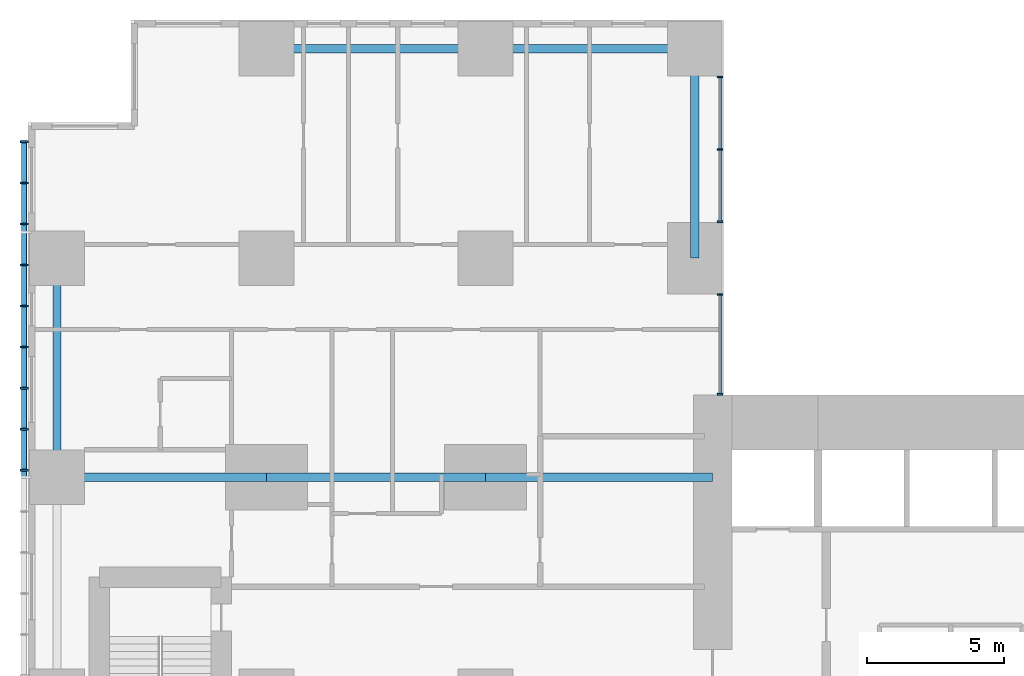
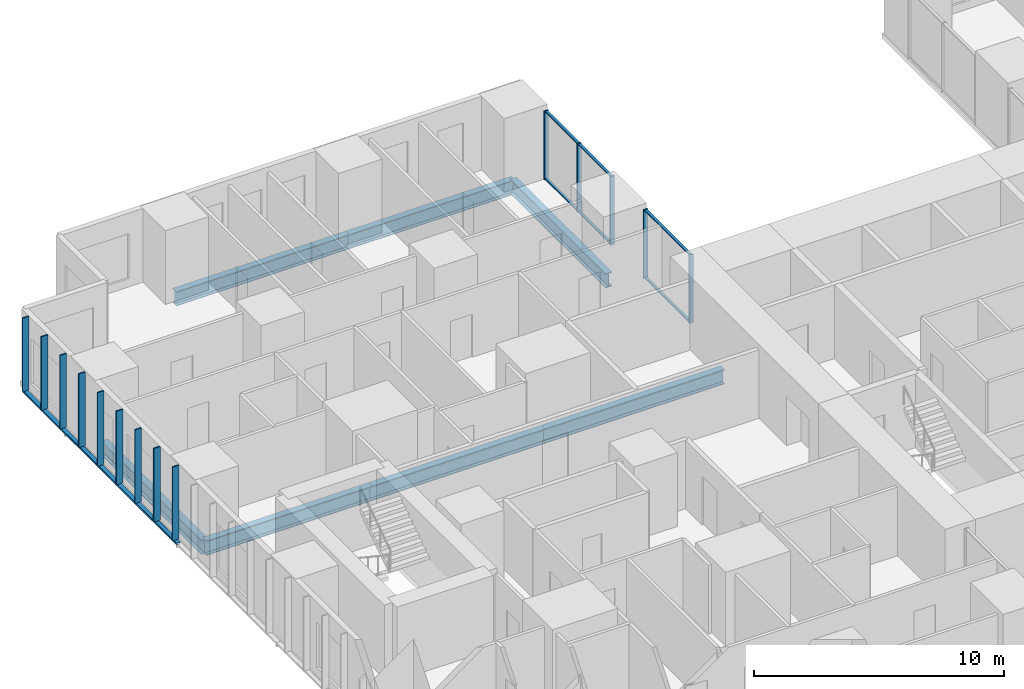
# One storey, part 4 of 20: 21 members, 7 beams, 2 elements without a shape of their own.
"""IFC4 building model written with IfcOpenShell, lengths in metres."""

import ifcopenshell
import ifcopenshell.guid

model = None  # the IFC model being written
_history = None  # IfcOwnerHistory: only IFC2X3 demands one
_inside = {}  # id of a spatial element -> (the spatial element, [elements in it])
_under = {}  # id of a project, library or spatial element -> (it, [spatial elements below it])
_declared = {}  # id of a project -> (the project, [libraries it declares])
_typed = {}  # id of a type object -> (the type object, [elements of that type])
_made_of = {}  # id of a material, layer set ... -> (it, [elements and type objects made of it])


def new_model(schema):
    """Start an empty IFC model of exactly this schema.

    Asked for "IFC4X3", IfcOpenShell would pick the latest addendum, in which some entities
    have other attributes; the version numbers below select the first issue.
    IFC2X3 requires an IfcOwnerHistory on every rooted entity: one is made here for all.
    """
    global model, _history
    if schema == "IFC4X3":
        model = ifcopenshell.file(schema_version=(4, 3, 0, 0))
    else:
        model = ifcopenshell.file(schema=schema)
    _inside.clear()
    _under.clear()
    _declared.clear()
    _typed.clear()
    _made_of.clear()
    _history = None
    if model.schema == "IFC2X3":
        org = make("IfcOrganization", Name="unknown")
        user = make(
            "IfcPersonAndOrganization",
            ThePerson=make("IfcPerson", FamilyName="unknown"),
            TheOrganization=org,
        )
        app = make(
            "IfcApplication",
            ApplicationDeveloper=org,
            Version="unknown",
            ApplicationFullName="unknown",
            ApplicationIdentifier="unknown",
        )
        _history = make(
            "IfcOwnerHistory",
            OwningUser=user,
            OwningApplication=app,
            ChangeAction="ADDED",
            CreationDate=0,
        )
    return model


def make(cls, **values):
    """One entity of the class cls with the attributes given. An attribute that is None is left unset."""
    return model.create_entity(
        cls, **{name: value for name, value in values.items() if value is not None}
    )


def rooted(cls, **values):
    """An entity with a GlobalId (a new one), such as an element, a storey or a relation."""
    return make(cls, GlobalId=ifcopenshell.guid.new(), OwnerHistory=_history, **values)


def si_unit(unit_type, name, prefix=None):
    """IfcSIUnit, for example si_unit("LENGTHUNIT", "METRE", prefix="MILLI")."""
    return make("IfcSIUnit", UnitType=unit_type, Prefix=prefix, Name=name)


def assignment(units):
    """IfcUnitAssignment: the units of a project."""
    return None if units is None else make("IfcUnitAssignment", Units=units)


def point(xyz):
    """IfcCartesianPoint."""
    return None if xyz is None else make("IfcCartesianPoint", Coordinates=xyz)


def direction(xyz):
    """IfcDirection."""
    return None if xyz is None else make("IfcDirection", DirectionRatios=xyz)


def frame(location, z_axis=None, x_axis=None):
    """IfcAxis2Placement3D, a coordinate frame: its origin and axes. An axis left out is left unset."""
    return make(
        "IfcAxis2Placement3D",
        Location=point(location),
        Axis=direction(z_axis),
        RefDirection=direction(x_axis),
    )


def frame_2d(location, x_axis=None):
    """IfcAxis2Placement2D, a coordinate frame in the plane: its origin and x axis."""
    return make(
        "IfcAxis2Placement2D", Location=point(location), RefDirection=direction(x_axis)
    )


def origin():
    """The frame at (0, 0, 0) with its axes left unset."""
    return frame((0.0, 0.0, 0.0))


def origin_2d():
    """The frame at (0, 0) in the plane with its x axis left unset."""
    return frame_2d((0.0, 0.0))


def place(relative_to, where):
    """IfcLocalPlacement: puts the frame where relative to a parent placement (None: the world)."""
    return make(
        "IfcLocalPlacement", PlacementRelTo=relative_to, RelativePlacement=where
    )


def context(
    kind, dimensions, precision=None, world=None, true_north=None, identifier=None
):
    """IfcGeometricRepresentationContext, for example the 3D "Model" context."""
    return make(
        "IfcGeometricRepresentationContext",
        ContextIdentifier=identifier,
        ContextType=kind,
        CoordinateSpaceDimension=dimensions,
        Precision=precision,
        WorldCoordinateSystem=world,
        TrueNorth=true_north,
    )


def subcontext(parent, identifier, kind, view, scale=None):
    """IfcGeometricRepresentationSubContext, for example "Body" below "Model"."""
    return make(
        "IfcGeometricRepresentationSubContext",
        ContextIdentifier=identifier,
        ContextType=kind,
        ParentContext=parent,
        TargetScale=scale,
        TargetView=view,
    )


def project(units=None, contexts=None):
    """IfcProject with its units and contexts."""
    return rooted(
        "IfcProject",
        Name="project",
        RepresentationContexts=contexts,
        UnitsInContext=assignment(units),
    )


def spatial(cls, under=None, at=None, **own):
    """A site, building, storey or space (cls), placed at a placement, below another one or the project."""
    s = rooted(cls, ObjectPlacement=at, **own)
    if under is not None:
        _under.setdefault(under.id(), (under, []))[1].append(s)
    return s


def profile(cls, at=None, kind="AREA", **sizes):
    """A parametric profile (cls). Its sizes go by their IFC names, for example OverallWidth=200.0."""
    return make(cls, ProfileType=kind, Position=at, **sizes)


def rectangle(**sizes):
    """IfcRectangleProfileDef."""
    return profile("IfcRectangleProfileDef", **sizes)


def hollow_rectangle(**sizes):
    """IfcRectangleHollowProfileDef."""
    return profile("IfcRectangleHollowProfileDef", **sizes)


def i_section(**sizes):
    """IfcIShapeProfileDef."""
    return profile("IfcIShapeProfileDef", **sizes)


def extrude(swept, where, along, depth):
    """IfcExtrudedAreaSolid: the profile swept, set in the frame where, extruded along a direction by depth."""
    return make(
        "IfcExtrudedAreaSolid",
        SweptArea=swept,
        Position=where,
        ExtrudedDirection=direction(along),
        Depth=depth,
    )


def shape(context_of_items, identifier, shape_type, items):
    """IfcShapeRepresentation: the items that make up one representation, for example the "Body"."""
    return make(
        "IfcShapeRepresentation",
        ContextOfItems=context_of_items,
        RepresentationIdentifier=identifier,
        RepresentationType=shape_type,
        Items=items,
    )


def material(Name=None, Category=None):
    """IfcMaterial."""
    return make("IfcMaterial", Name=Name, Category=Category)


def layer(
    of_material, thickness, ventilated=None, Name=None, Category=None, Priority=None
):
    """IfcMaterialLayer: one layer of a wall or slab, of a material (None: an air gap)."""
    return make(
        "IfcMaterialLayer",
        Material=of_material,
        LayerThickness=thickness,
        IsVentilated=ventilated,
        Name=Name,
        Category=Category,
        Priority=Priority,
    )


def layer_set(layers, Name=None):
    """IfcMaterialLayerSet."""
    return make("IfcMaterialLayerSet", MaterialLayers=layers, LayerSetName=Name)


def material_profile(
    of_material, cross_section, Name=None, Category=None, Priority=None
):
    """IfcMaterialProfile: a cross section and its material."""
    return make(
        "IfcMaterialProfile",
        Name=Name,
        Material=of_material,
        Profile=cross_section,
        Priority=Priority,
        Category=Category,
    )


def profile_set(profiles, Name=None, composite=None):
    """IfcMaterialProfileSet."""
    return make(
        "IfcMaterialProfileSet",
        Name=Name,
        MaterialProfiles=profiles,
        CompositeProfile=composite,
    )


def made_of(thing, what):
    """Note that an element or type object is made of a material, layer set ...; save() writes the relation."""
    if what is not None:
        _made_of.setdefault(what.id(), (what, []))[1].append(thing)
    return thing


def type_object(cls, material=None, **own):
    """A type object (cls), such as IfcWallType, which elements share."""
    return made_of(rooted(cls, **own), material)


def element(
    cls,
    number,
    at=None,
    inside=None,
    cuts=None,
    type_object=None,
    material=None,
    context=None,
    identifier="Body",
    shape_type=None,
    held_by="IfcProductDefinitionShape",
    body=None,
    shapes=None,
    **own,
):
    """One element of the class cls, such as IfcWall. Its Tag is "e" and its number.

    at: its placement. inside: the storey or other place that contains it. cuts: it is an
    opening in that element (IfcRelVoidsElement). A single representation is given by context,
    identifier, shape_type and body (its items); several are given by shapes. held_by: the class
    of the entity that holds the representations. save() writes the other relations.
    """
    e = rooted(cls, Tag="e%d" % number, ObjectPlacement=at, **own)
    if body is not None:
        shapes = [shape(context, identifier, shape_type, body)]
    if shapes is not None:
        e.Representation = make(held_by, Representations=shapes)
    if inside is not None:
        _inside.setdefault(inside.id(), (inside, []))[1].append(e)
    if cuts is not None:
        rooted(
            "IfcRelVoidsElement", RelatingBuildingElement=cuts, RelatedOpeningElement=e
        )
    if type_object is not None:
        _typed.setdefault(type_object.id(), (type_object, []))[1].append(e)
    return made_of(e, material)


def aggregate(whole, parts):
    """IfcRelAggregates: a whole, such as a stair, and the parts it consists of."""
    return rooted("IfcRelAggregates", RelatingObject=whole, RelatedObjects=parts)


def save(model, path):
    """Write the relations noted so far, then the file.

    IfcRelAggregates (storeys below a building ...), IfcRelContainedInSpatialStructure (elements
    in a storey), IfcRelDefinesByType, IfcRelAssociatesMaterial and IfcRelDeclares: one each for
    every whole, place, type object, material and project.
    """
    for whole, parts in _under.values():
        aggregate(whole, parts)
    for where, things in _inside.values():
        rooted(
            "IfcRelContainedInSpatialStructure",
            RelatedElements=things,
            RelatingStructure=where,
        )
    for kind, things in _typed.values():
        rooted("IfcRelDefinesByType", RelatedObjects=things, RelatingType=kind)
    for what, things in _made_of.values():
        rooted("IfcRelAssociatesMaterial", RelatedObjects=things, RelatingMaterial=what)
    for by, libraries in _declared.values():
        rooted("IfcRelDeclares", RelatingContext=by, RelatedDefinitions=libraries)
    model.write(path)


model = new_model("IFC4")

# Units and contexts
model_context = context("Model", 3, precision=1e-05, world=origin(), true_north=direction((0.0, 1.0)))
body_context = subcontext(model_context, "Body", "Model", "MODEL_VIEW")
ifc_project = project(units=[si_unit("LENGTHUNIT", "METRE"), si_unit("AREAUNIT", "SQUARE_METRE"), si_unit("VOLUMEUNIT", "CUBIC_METRE"), si_unit("PLANEANGLEUNIT", "RADIAN"), si_unit("MASSUNIT", "GRAM", prefix="KILO")], contexts=[model_context])

# Site, building, storey
site_placement = place(None, origin())
site = spatial("IfcSite", under=ifc_project, at=site_placement, CompositionType="ELEMENT")
building_placement = place(site_placement, origin())
building = spatial("IfcBuilding", under=site, at=building_placement, Name="Cleftline Residences", CompositionType="ELEMENT")
storey_placement = place(building_placement, frame((0.0, 0.0, 164.60009765625)))
storey = spatial("IfcBuildingStorey", under=building, at=storey_placement, Name="L43", CompositionType="ELEMENT", Elevation=164.60009765625)

# Member
ifc_material_1 = material(Name="Steel S355, hot-dip galvanised", Category="steel")
ifc_material_profile_1 = material_profile(ifc_material_1, hollow_rectangle(XDim=0.10009765625, YDim=0.199951171875, WallThickness=0.008056640625, InnerFilletRadius=0.008056640625, OuterFilletRadius=0.011962890625, at=origin_2d()))
ifc_profile_set_1 = profile_set([ifc_material_profile_1], Name="Steel S355, hot-dip galvanised")
member_type_1 = type_object("IfcMemberType", Name="BAGUETTE CARRIER RHS 200X100X8", PredefinedType="USERDEFINED", material=ifc_profile_set_1)
member_1_placement = place(storey_placement, frame((-0.85009765625, 44.300048828125, -0.050048828125), z_axis=(0.0, -1.0, 0.0), x_axis=(0.0, 0.0, 1.0)))
element("IfcMember", 1, at=member_1_placement, inside=storey, type_object=member_type_1, Name="Baguette carrier", ObjectType="BAGUETTE CARRIER", PredefinedType="USERDEFINED", context=body_context, shape_type="SweptSolid", body=[
    extrude(hollow_rectangle(XDim=0.10009765625, YDim=0.199951171875, WallThickness=0.008056640625, InnerFilletRadius=0.008056640625, OuterFilletRadius=0.011962890625, at=origin_2d()), origin(), (0.0, 0.0, 1.0), 12.300048828125),
])

# Beams
ifc_material_2 = material(Name="Steel S355", Category="steel")
ifc_material_profile_2 = material_profile(ifc_material_2, i_section(OverallWidth=0.300048828125, OverallDepth=0.699951171875, WebThickness=0.01708984375, FlangeThickness=0.031982421875, FilletRadius=0.027099609375, at=origin_2d()))
ifc_profile_set_2 = profile_set([ifc_material_profile_2], Name="Steel S355")
beam_type_1 = type_object("IfcBeamType", Name="BEAM HEB 700", PredefinedType="BEAM", material=ifc_profile_set_2)
for number, where, z_axis, x_axis, name in (
    (2, (0.35009765625, 32.0, -0.60009765625), (0.0, 1.0, 0.0), (-1.0, 0.0, 0.0), "Edge beam"),
    (3, (8.0, 47.64990234375, -0.60009765625), (1.0, 0.0, 0.0), (0.0, 1.0, 0.0), "Edge beam"),
):
    element("IfcBeam", number, at=place(storey_placement, frame(where, z_axis=z_axis, x_axis=x_axis)), inside=storey, type_object=beam_type_1, Name=name, PredefinedType="BEAM", context=body_context, shape_type="SweptSolid", body=[
        extrude(i_section(OverallWidth=0.300048828125, OverallDepth=0.699951171875, WebThickness=0.01708984375, FlangeThickness=0.031982421875, FilletRadius=0.027099609375, at=origin_2d()), origin(), (0.0, 0.0, 1.0), 8.0),
    ])
for number, where, z_axis, x_axis, name in (
    (4, (16.0, 47.64990234375, -0.60009765625), (1.0, 0.0, 0.0), (0.0, 1.0, 0.0), "Edge beam"),
    (5, (23.64990234375, 47.64990234375, -0.60009765625), (0.0, -1.0, 0.0), (1.0, 0.0, 0.0), "Edge beam"),
):
    element("IfcBeam", number, at=place(storey_placement, frame(where, z_axis=z_axis, x_axis=x_axis)), inside=storey, type_object=beam_type_1, Name=name, PredefinedType="BEAM", context=body_context, shape_type="SweptSolid", body=[
        extrude(i_section(OverallWidth=0.300048828125, OverallDepth=0.699951171875, WebThickness=0.01708984375, FlangeThickness=0.031982421875, FilletRadius=0.027099609375, at=origin_2d()), origin(), (0.0, 0.0, 1.0), 7.64990234375),
    ])
ifc_material_3 = material(Name="Steel S355", Category="steel")
ifc_material_profile_3 = material_profile(ifc_material_3, i_section(OverallWidth=0.303955078125, OverallDepth=0.716064453125, WebThickness=0.02099609375, FlangeThickness=0.0400390625, FilletRadius=0.027099609375, at=origin_2d()))
ifc_profile_set_3 = profile_set([ifc_material_profile_3], Name="Steel S355")
beam_type_2 = type_object("IfcBeamType", Name="BEAM HEM 700", PredefinedType="BEAM", material=ifc_profile_set_3)
beam_1_placement = place(storey_placement, frame((0.35009765625, 32.0, -0.608154296875), z_axis=(1.0, 0.0, 0.0), x_axis=(0.0, 1.0, 0.0)))
element("IfcBeam", 6, at=beam_1_placement, inside=storey, type_object=beam_type_2, Name="Band beam", PredefinedType="BEAM", context=body_context, shape_type="SweptSolid", body=[
    extrude(i_section(OverallWidth=0.303955078125, OverallDepth=0.716064453125, WebThickness=0.02099609375, FlangeThickness=0.0400390625, FilletRadius=0.027099609375, at=origin_2d()), origin(), (0.0, 0.0, 1.0), 7.64990234375),
])
beam_2_placement = place(storey_placement, frame((8.0, 32.0, -0.608154296875), z_axis=(1.0, 0.0, 0.0), x_axis=(0.0, 1.0, 0.0)))
element("IfcBeam", 7, at=beam_2_placement, inside=storey, type_object=beam_type_2, Name="Band beam", PredefinedType="BEAM", context=body_context, shape_type="SweptSolid", body=[
    extrude(i_section(OverallWidth=0.303955078125, OverallDepth=0.716064453125, WebThickness=0.02099609375, FlangeThickness=0.0400390625, FilletRadius=0.027099609375, at=origin_2d()), origin(), (0.0, 0.0, 1.0), 8.0),
])
beam_3_placement = place(storey_placement, frame((16.0, 32.0, -0.608154296875), z_axis=(1.0, 0.0, 0.0), x_axis=(0.0, 1.0, 0.0)))
element("IfcBeam", 8, at=beam_3_placement, inside=storey, type_object=beam_type_2, Name="Band beam", PredefinedType="BEAM", context=body_context, shape_type="SweptSolid", body=[
    extrude(i_section(OverallWidth=0.303955078125, OverallDepth=0.716064453125, WebThickness=0.02099609375, FlangeThickness=0.0400390625, FilletRadius=0.027099609375, at=origin_2d()), origin(), (0.0, 0.0, 1.0), 8.300048828125),
])

# Curtain wall, members
ifc_material_4 = material(Name="Aluminium framed curtain wall", Category="aluminium")
ifc_layer = layer(ifc_material_4, 0.199951171875)
ifc_layer_set = layer_set([ifc_layer], Name="CW1 CLEFT GLAZING")
curtain_wall_type = type_object("IfcCurtainWallType", Name="CW1 CLEFT GLAZING", PredefinedType="NOTDEFINED", material=ifc_layer_set)
curtain_wall_1_placement = place(storey_placement, origin())
curtain_wall_1 = element("IfcCurtainWall", 9, at=curtain_wall_1_placement, inside=storey, type_object=curtain_wall_type, Name="Curtain wall CW1", PredefinedType="NOTDEFINED")
ifc_material_5 = material(Name="Aluminium mullion", Category="aluminium")
ifc_material_profile_4 = material_profile(ifc_material_5, rectangle(XDim=0.199951171875, YDim=0.06005859375, at=origin_2d()))
ifc_profile_set_4 = profile_set([ifc_material_profile_4], Name="Aluminium mullion")
member_type_2 = type_object("IfcMemberType", Name="CW1 MULLION", PredefinedType="MULLION", material=ifc_profile_set_4)
member_2_placement = place(storey_placement, frame((24.574951171875, 35.030029296875, 0.0), z_axis=(0.0, 0.0, 1.0), x_axis=(-1.0, 0.0, 0.0)))
member_2 = element("IfcMember", 10, at=member_2_placement, type_object=member_type_2, Name="CW1 mullion 1", PredefinedType="MULLION", context=body_context, shape_type="SweptSolid", body=[
    extrude(rectangle(XDim=0.199951171875, YDim=0.06005859375, at=origin_2d()), origin(), (0.0, 0.0, 1.0), 3.349853515625),
])
member_3_placement = place(storey_placement, frame((24.574951171875, 38.669921875, 0.0), z_axis=(0.0, 0.0, 1.0), x_axis=(-1.0, 0.0, 0.0)))
member_3 = element("IfcMember", 11, at=member_3_placement, type_object=member_type_2, Name="CW1 mullion 2", PredefinedType="MULLION", context=body_context, shape_type="SweptSolid", body=[
    extrude(rectangle(XDim=0.199951171875, YDim=0.06005859375, at=origin_2d()), origin(), (0.0, 0.0, 1.0), 3.349853515625),
])

curtain_wall_2_placement = place(storey_placement, origin())
curtain_wall_2 = element("IfcCurtainWall", 12, at=curtain_wall_2_placement, inside=storey, type_object=curtain_wall_type, Name="Curtain wall CW1", PredefinedType="NOTDEFINED")
member_4_placement = place(storey_placement, frame((24.574951171875, 41.330078125, 0.0), z_axis=(0.0, 0.0, 1.0), x_axis=(-1.0, 0.0, 0.0)))
member_4 = element("IfcMember", 13, at=member_4_placement, type_object=member_type_2, Name="CW1 mullion 1", PredefinedType="MULLION", context=body_context, shape_type="SweptSolid", body=[
    extrude(rectangle(XDim=0.199951171875, YDim=0.06005859375, at=origin_2d()), origin(), (0.0, 0.0, 1.0), 3.349853515625),
])
member_5_placement = place(storey_placement, frame((24.574951171875, 43.97509765625, 0.0), z_axis=(0.0, 0.0, 1.0), x_axis=(-1.0, 0.0, 0.0)))
member_5 = element("IfcMember", 14, at=member_5_placement, type_object=member_type_2, Name="CW1 mullion 2", PredefinedType="MULLION", context=body_context, shape_type="SweptSolid", body=[
    extrude(rectangle(XDim=0.199951171875, YDim=0.06005859375, at=origin_2d()), origin(), (0.0, 0.0, 1.0), 3.349853515625),
])
member_6_placement = place(storey_placement, frame((24.574951171875, 46.6201171875, 0.0), z_axis=(0.0, 0.0, 1.0), x_axis=(-1.0, 0.0, 0.0)))
member_6 = element("IfcMember", 15, at=member_6_placement, type_object=member_type_2, Name="CW1 mullion 3", PredefinedType="MULLION", context=body_context, shape_type="SweptSolid", body=[
    extrude(rectangle(XDim=0.199951171875, YDim=0.06005859375, at=origin_2d()), origin(), (0.0, 0.0, 1.0), 3.349853515625),
])

# Member
ifc_material_6 = material(Name="Aluminium transom", Category="aluminium")
ifc_material_profile_5 = material_profile(ifc_material_6, rectangle(XDim=0.1201171875, YDim=0.06005859375, at=origin_2d()))
ifc_profile_set_5 = profile_set([ifc_material_profile_5], Name="Aluminium transom")
member_type_3 = type_object("IfcMemberType", Name="CW1 TRANSOM", PredefinedType="USERDEFINED", material=ifc_profile_set_5)
member_7_placement = place(storey_placement, frame((24.574951171875, 35.06005859375, 0.02978515625), z_axis=(0.0, 1.0, 0.0), x_axis=(-1.0, 0.0, 0.0)))
member_7 = element("IfcMember", 16, at=member_7_placement, type_object=member_type_3, Name="CW1 transom 1.1", ObjectType="TRANSOM", PredefinedType="USERDEFINED", context=body_context, shape_type="SweptSolid", body=[
    extrude(rectangle(XDim=0.1201171875, YDim=0.06005859375, at=origin_2d()), origin(), (0.0, 0.0, 1.0), 3.579833984375),
])

member_8_placement = place(storey_placement, frame((24.574951171875, 35.06005859375, 3.31982421875), z_axis=(0.0, 1.0, 0.0), x_axis=(-1.0, 0.0, 0.0)))
member_8 = element("IfcMember", 17, at=member_8_placement, type_object=member_type_3, Name="CW1 transom 1.2", ObjectType="TRANSOM", PredefinedType="USERDEFINED", context=body_context, shape_type="SweptSolid", body=[
    extrude(rectangle(XDim=0.1201171875, YDim=0.06005859375, at=origin_2d()), origin(), (0.0, 0.0, 1.0), 3.579833984375),
])

aggregate(curtain_wall_1, [member_2, member_3, member_7, member_8])

member_9_placement = place(storey_placement, frame((24.574951171875, 41.360107421875, 0.02978515625), z_axis=(0.0, 1.0, 0.0), x_axis=(-1.0, 0.0, 0.0)))
member_9 = element("IfcMember", 18, at=member_9_placement, type_object=member_type_3, Name="CW1 transom 1.1", ObjectType="TRANSOM", PredefinedType="USERDEFINED", context=body_context, shape_type="SweptSolid", body=[
    extrude(rectangle(XDim=0.1201171875, YDim=0.06005859375, at=origin_2d()), origin(), (0.0, 0.0, 1.0), 2.5849609375),
])

member_10_placement = place(storey_placement, frame((24.574951171875, 41.360107421875, 3.31982421875), z_axis=(0.0, 1.0, 0.0), x_axis=(-1.0, 0.0, 0.0)))
member_10 = element("IfcMember", 19, at=member_10_placement, type_object=member_type_3, Name="CW1 transom 1.2", ObjectType="TRANSOM", PredefinedType="USERDEFINED", context=body_context, shape_type="SweptSolid", body=[
    extrude(rectangle(XDim=0.1201171875, YDim=0.06005859375, at=origin_2d()), origin(), (0.0, 0.0, 1.0), 2.5849609375),
])

member_11_placement = place(storey_placement, frame((24.574951171875, 44.0048828125, 0.02978515625), z_axis=(0.0, 1.0, 0.0), x_axis=(-1.0, 0.0, 0.0)))
member_11 = element("IfcMember", 20, at=member_11_placement, type_object=member_type_3, Name="CW1 transom 2.1", ObjectType="TRANSOM", PredefinedType="USERDEFINED", context=body_context, shape_type="SweptSolid", body=[
    extrude(rectangle(XDim=0.1201171875, YDim=0.06005859375, at=origin_2d()), origin(), (0.0, 0.0, 1.0), 2.585205078125),
])

member_12_placement = place(storey_placement, frame((24.574951171875, 44.0048828125, 3.31982421875), z_axis=(0.0, 1.0, 0.0), x_axis=(-1.0, 0.0, 0.0)))
member_12 = element("IfcMember", 21, at=member_12_placement, type_object=member_type_3, Name="CW1 transom 2.2", ObjectType="TRANSOM", PredefinedType="USERDEFINED", context=body_context, shape_type="SweptSolid", body=[
    extrude(rectangle(XDim=0.1201171875, YDim=0.06005859375, at=origin_2d()), origin(), (0.0, 0.0, 1.0), 2.585205078125),
])

aggregate(curtain_wall_2, [member_4, member_5, member_6, member_9, member_10, member_11, member_12])

# Members
ifc_material_7 = material(Name="Extruded terracotta", Category="masonry")
ifc_material_profile_6 = material_profile(ifc_material_7, rectangle(XDim=0.06005859375, YDim=0.300048828125, at=origin_2d()))
ifc_profile_set_6 = profile_set([ifc_material_profile_6], Name="Extruded terracotta")
member_type_4 = type_object("IfcMemberType", Name="TERRACOTTA BAGUETTE 60X300", PredefinedType="USERDEFINED", material=ifc_profile_set_6)
for number, where, z_axis, x_axis, name in (
    (22, (-0.85009765625, 44.25, 0.0), (0.0, 0.0, 1.0), (0.0, 1.0, 0.0), "Terracotta baguette"),
    (23, (-0.85009765625, 42.75, 0.0), (0.0, 0.0, 1.0), (0.0, 1.0, 0.0), "Terracotta baguette"),
    (24, (-0.85009765625, 41.25, 0.0), (0.0, 0.0, 1.0), (0.0, 1.0, 0.0), "Terracotta baguette"),
    (25, (-0.85009765625, 39.75, 0.0), (0.0, 0.0, 1.0), (0.0, 1.0, 0.0), "Terracotta baguette"),
    (26, (-0.85009765625, 38.25, 0.0), (0.0, 0.0, 1.0), (0.0, 1.0, 0.0), "Terracotta baguette"),
    (27, (-0.85009765625, 36.75, 0.0), (0.0, 0.0, 1.0), (0.0, 1.0, 0.0), "Terracotta baguette"),
    (28, (-0.85009765625, 35.25, 0.0), (0.0, 0.0, 1.0), (0.0, 1.0, 0.0), "Terracotta baguette"),
    (29, (-0.85009765625, 33.75, 0.0), (0.0, 0.0, 1.0), (0.0, 1.0, 0.0), "Terracotta baguette"),
    (30, (-0.85009765625, 32.25, 0.0), (0.0, 0.0, 1.0), (0.0, 1.0, 0.0), "Terracotta baguette"),
):
    element("IfcMember", number, at=place(storey_placement, frame(where, z_axis=z_axis, x_axis=x_axis)), inside=storey, type_object=member_type_4, Name=name, ObjectType="BAGUETTE", PredefinedType="USERDEFINED", context=body_context, shape_type="SweptSolid", body=[
        extrude(rectangle(XDim=0.06005859375, YDim=0.300048828125, at=origin_2d()), origin(), (0.0, 0.0, 1.0), 3.599853515625),
    ])

save(model, "model.ifc")
